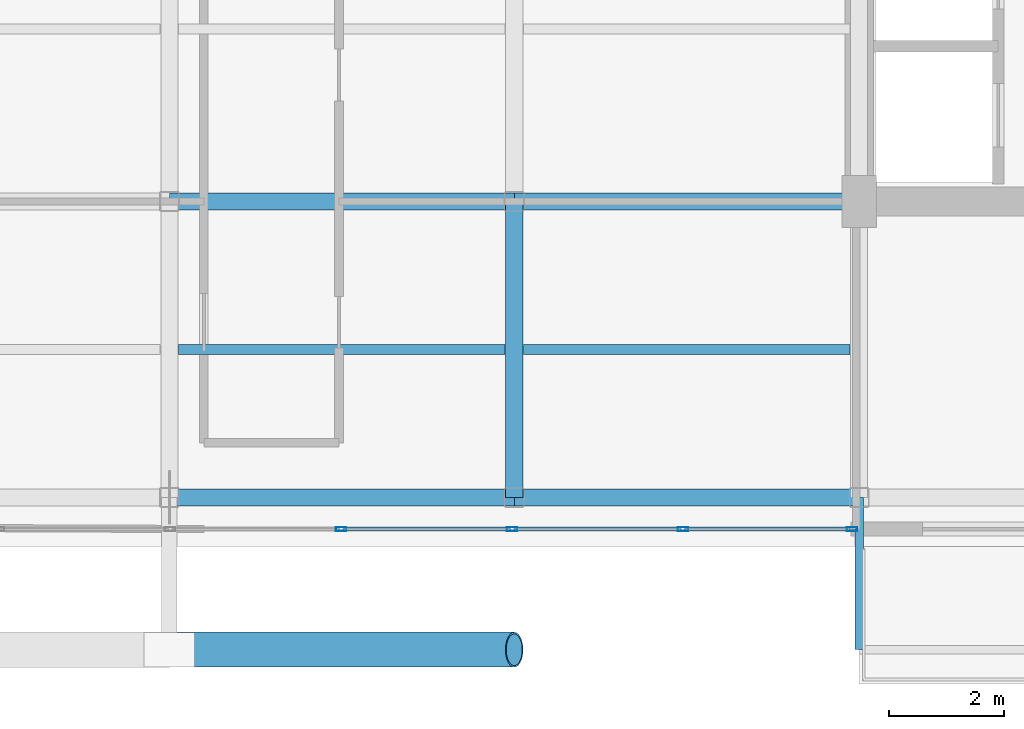
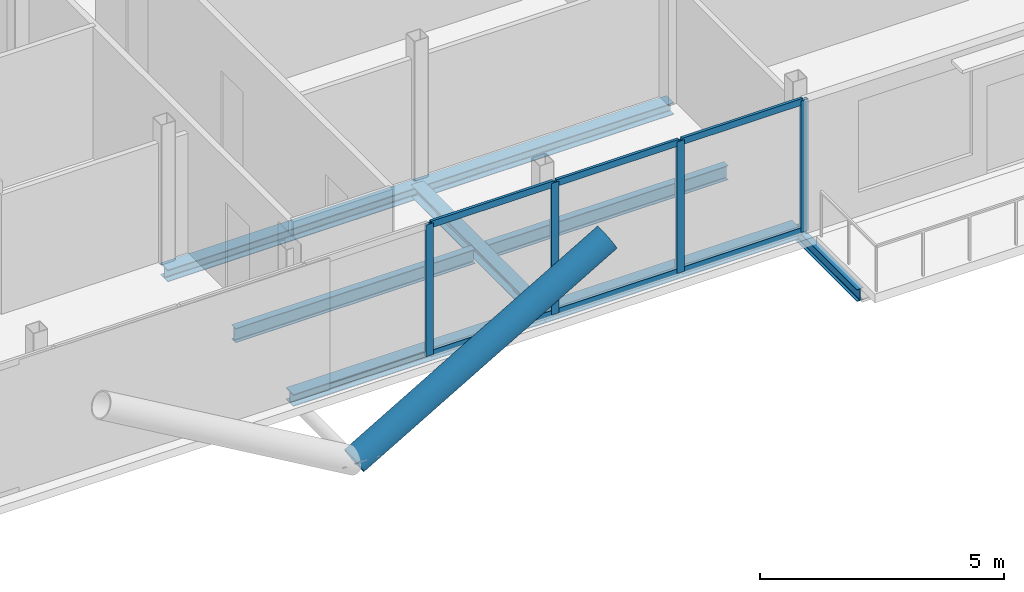
# One storey, part 4 of 18: 11 members, 8 beams, 1 element without a shape of its own.
"""IFC4 building model written with IfcOpenShell, lengths in metres."""

from ifc_helpers import new_model, si_unit, direction, frame, origin, origin_2d, place, context, subcontext, project, spatial, hollow_rectangle, hollow_circle, i_section, extrude, material, layer, layer_set, material_profile, profile_set, type_object, element, aggregate, save


model = new_model("IFC4")

# Units and contexts
model_context = context("Model", 3, precision=1e-05, world=origin(), true_north=direction((0.0, 1.0)))
body_context = subcontext(model_context, "Body", "Model", "MODEL_VIEW")
ifc_project = project(units=[si_unit("LENGTHUNIT", "METRE"), si_unit("AREAUNIT", "SQUARE_METRE"), si_unit("VOLUMEUNIT", "CUBIC_METRE"), si_unit("PLANEANGLEUNIT", "RADIAN"), si_unit("MASSUNIT", "GRAM", prefix="KILO"), si_unit("THERMODYNAMICTEMPERATUREUNIT", "KELVIN"), si_unit("POWERUNIT", "WATT")], contexts=[model_context])

# Site, building, storey
site_placement = place(None, origin())
site = spatial("IfcSite", under=ifc_project, at=site_placement, CompositionType="ELEMENT")
building_placement = place(site_placement, origin())
building = spatial("IfcBuilding", under=site, at=building_placement, Name="Svarakhadi Broadcast Tower", CompositionType="ELEMENT")
storey_placement = place(building_placement, frame((0.0, 0.0, 260.699951171875)))
storey = spatial("IfcBuildingStorey", under=building, at=storey_placement, Name="L65", CompositionType="ELEMENT", Elevation=260.699951171875)

# Beams
ifc_material_1 = material(Name="Steel S355J2 (IS 2062 E350C)", Category="steel")
ifc_material_profile_1 = material_profile(ifc_material_1, i_section(OverallWidth=0.169921875, OverallDepth=0.360107421875, WebThickness=0.008056640625, FlangeThickness=0.0126953125, FilletRadius=0.01806640625, at=origin_2d()), Name="NPB 360x170x57")
ifc_profile_set_1 = profile_set([ifc_material_profile_1], Name="Steel S355J2 (IS 2062 E350C)")
beam_type_1 = type_object("IfcBeamType", Name="Beam_NPB360", PredefinedType="BEAM", material=ifc_profile_set_1)
for number, where, z_axis, x_axis, name in (
    (1, (12.159912109375, 3.425048828125, -0.3798828125), (1.0, 0.0, 0.0), (0.0, 1.0, 0.0), "L65 Secondary Composite Beam SB007"),
    (2, (18.159912109375, 3.425048828125, -0.3798828125), (1.0, 0.0, 0.0), (0.0, 1.0, 0.0), "L65 Secondary Composite Beam SB010"),
):
    element("IfcBeam", number, at=place(storey_placement, frame(where, z_axis=z_axis, x_axis=x_axis)), inside=storey, type_object=beam_type_1, Name=name, PredefinedType="BEAM", context=body_context, shape_type="SweptSolid", body=[
        extrude(i_section(OverallWidth=0.169921875, OverallDepth=0.360107421875, WebThickness=0.008056640625, FlangeThickness=0.0126953125, FilletRadius=0.01806640625, at=origin_2d()), origin(), (0.0, 0.0, 1.0), 5.68017578125),
    ])

# Curtain wall, members
ifc_material_2 = material(Name="Anodised Bronze Aluminium AA 6063-T6", Category="aluminium")
ifc_layer = layer(ifc_material_2, 0.179931640625)
ifc_layer_set = layer_set([ifc_layer], Name="Anodised Bronze Aluminium AA 6063-T6")
curtain_wall_type = type_object("IfcCurtainWallType", Name="CW_Sys_05", PredefinedType="NOTDEFINED", material=ifc_layer_set)
curtain_wall_placement = place(storey_placement, origin())
curtain_wall = element("IfcCurtainWall", 3, at=curtain_wall_placement, inside=storey, type_object=curtain_wall_type, Name="L65 South Curtain Wall 15", PredefinedType="NOTDEFINED")
ifc_material_profile_2 = material_profile(ifc_material_2, hollow_rectangle(XDim=0.070068359375, YDim=0.179931640625, WallThickness=0.005615234375, at=origin_2d()), Name="ALU MULLION 180x70x6")
ifc_profile_set_2 = profile_set([ifc_material_profile_2], Name="Anodised Bronze Aluminium AA 6063-T6")
member_type_1 = type_object("IfcMemberType", Name="CW_Sys_05_Mul", PredefinedType="MULLION", material=ifc_profile_set_2)
member_1_placement = place(storey_placement, frame((23.875, 0.300048828125, 0.0), z_axis=(0.0, 0.0, 1.0), x_axis=(0.0, -1.0, 0.0)))
member_1 = element("IfcMember", 4, at=member_1_placement, type_object=member_type_1, Name="CW-05 mullion 1", PredefinedType="MULLION", context=body_context, shape_type="SweptSolid", body=[
    extrude(hollow_rectangle(XDim=0.070068359375, YDim=0.179931640625, WallThickness=0.005615234375, at=origin_2d()), origin(), (0.0, 0.0, 1.0), 3.300048828125),
])
member_2_placement = place(storey_placement, frame((20.935791015625, 0.300048828125, 0.0), z_axis=(0.0, 0.0, 1.0), x_axis=(0.0, -1.0, 0.0)))
member_2 = element("IfcMember", 5, at=member_2_placement, type_object=member_type_1, Name="CW-05 mullion 2", PredefinedType="MULLION", context=body_context, shape_type="SweptSolid", body=[
    extrude(hollow_rectangle(XDim=0.070068359375, YDim=0.179931640625, WallThickness=0.005615234375, at=origin_2d()), origin(), (0.0, 0.0, 1.0), 3.300048828125),
])
member_3_placement = place(storey_placement, frame((17.96142578125, 0.300048828125, 0.0), z_axis=(0.0, 0.0, 1.0), x_axis=(0.0, -1.0, 0.0)))
member_3 = element("IfcMember", 6, at=member_3_placement, type_object=member_type_1, Name="CW-05 mullion 3", PredefinedType="MULLION", context=body_context, shape_type="SweptSolid", body=[
    extrude(hollow_rectangle(XDim=0.070068359375, YDim=0.179931640625, WallThickness=0.005615234375, at=origin_2d()), origin(), (0.0, 0.0, 1.0), 3.300048828125),
])
member_4_placement = place(storey_placement, frame((14.987060546875, 0.300048828125, 0.0), z_axis=(0.0, 0.0, 1.0), x_axis=(0.0, -1.0, 0.0)))
member_4 = element("IfcMember", 7, at=member_4_placement, type_object=member_type_1, Name="CW-05 mullion 4", PredefinedType="MULLION", context=body_context, shape_type="SweptSolid", body=[
    extrude(hollow_rectangle(XDim=0.070068359375, YDim=0.179931640625, WallThickness=0.005615234375, at=origin_2d()), origin(), (0.0, 0.0, 1.0), 3.300048828125),
])
ifc_material_profile_3 = material_profile(ifc_material_2, hollow_rectangle(XDim=0.06494140625, YDim=0.1650390625, WallThickness=0.0048828125, at=origin_2d()), Name="ALU TRANSOM 165x65x5")
ifc_profile_set_3 = profile_set([ifc_material_profile_3], Name="Anodised Bronze Aluminium AA 6063-T6")
member_type_2 = type_object("IfcMemberType", Name="CW_Sys_05_Trn", PredefinedType="USERDEFINED", material=ifc_profile_set_3)
member_5_placement = place(storey_placement, frame((23.840087890625, 0.300048828125, 0.032470703125), z_axis=(-1.0, 0.0, 0.0), x_axis=(0.0, -1.0, 0.0)))
member_5 = element("IfcMember", 8, at=member_5_placement, type_object=member_type_2, Name="CW-05 transom 1.1", ObjectType="TRANSOM", PredefinedType="USERDEFINED", context=body_context, shape_type="SweptSolid", body=[
    extrude(hollow_rectangle(XDim=0.06494140625, YDim=0.1650390625, WallThickness=0.0048828125, at=origin_2d()), origin(), (0.0, 0.0, 1.0), 2.869384765625),
])
member_6_placement = place(storey_placement, frame((23.840087890625, 0.300048828125, 3.267578125), z_axis=(-1.0, 0.0, 0.0), x_axis=(0.0, -1.0, 0.0)))
member_6 = element("IfcMember", 9, at=member_6_placement, type_object=member_type_2, Name="CW-05 transom 1.2", ObjectType="TRANSOM", PredefinedType="USERDEFINED", context=body_context, shape_type="SweptSolid", body=[
    extrude(hollow_rectangle(XDim=0.06494140625, YDim=0.1650390625, WallThickness=0.0048828125, at=origin_2d()), origin(), (0.0, 0.0, 1.0), 2.869384765625),
])
member_7_placement = place(storey_placement, frame((20.900634765625, 0.300048828125, 0.032470703125), z_axis=(-1.0, 0.0, 0.0), x_axis=(0.0, -1.0, 0.0)))
member_7 = element("IfcMember", 10, at=member_7_placement, type_object=member_type_2, Name="CW-05 transom 2.1", ObjectType="TRANSOM", PredefinedType="USERDEFINED", context=body_context, shape_type="SweptSolid", body=[
    extrude(hollow_rectangle(XDim=0.06494140625, YDim=0.1650390625, WallThickness=0.0048828125, at=origin_2d()), origin(), (0.0, 0.0, 1.0), 2.904296875),
])
member_8_placement = place(storey_placement, frame((20.900634765625, 0.300048828125, 3.267578125), z_axis=(-1.0, 0.0, 0.0), x_axis=(0.0, -1.0, 0.0)))
member_8 = element("IfcMember", 11, at=member_8_placement, type_object=member_type_2, Name="CW-05 transom 2.2", ObjectType="TRANSOM", PredefinedType="USERDEFINED", context=body_context, shape_type="SweptSolid", body=[
    extrude(hollow_rectangle(XDim=0.06494140625, YDim=0.1650390625, WallThickness=0.0048828125, at=origin_2d()), origin(), (0.0, 0.0, 1.0), 2.904296875),
])
member_9_placement = place(storey_placement, frame((17.926513671875, 0.300048828125, 0.032470703125), z_axis=(-1.0, 0.0, 0.0), x_axis=(0.0, -1.0, 0.0)))
member_9 = element("IfcMember", 12, at=member_9_placement, type_object=member_type_2, Name="CW-05 transom 3.1", ObjectType="TRANSOM", PredefinedType="USERDEFINED", context=body_context, shape_type="SweptSolid", body=[
    extrude(hollow_rectangle(XDim=0.06494140625, YDim=0.1650390625, WallThickness=0.0048828125, at=origin_2d()), origin(), (0.0, 0.0, 1.0), 2.904296875),
])
member_10_placement = place(storey_placement, frame((17.926513671875, 0.300048828125, 3.267578125), z_axis=(-1.0, 0.0, 0.0), x_axis=(0.0, -1.0, 0.0)))
member_10 = element("IfcMember", 13, at=member_10_placement, type_object=member_type_2, Name="CW-05 transom 3.2", ObjectType="TRANSOM", PredefinedType="USERDEFINED", context=body_context, shape_type="SweptSolid", body=[
    extrude(hollow_rectangle(XDim=0.06494140625, YDim=0.1650390625, WallThickness=0.0048828125, at=origin_2d()), origin(), (0.0, 0.0, 1.0), 2.904296875),
])
aggregate(curtain_wall, [member_1, member_2, member_3, member_4, member_5, member_6, member_7, member_8, member_9, member_10])

# Member
ifc_material_3 = material(Name="Steel S460ML (IS 2062 E450BR)", Category="steel")
ifc_material_profile_4 = material_profile(ifc_material_3, hollow_circle(Radius=0.304931640625, WallThickness=0.030029296875, at=origin_2d()), Name="CHS 610x30")
ifc_profile_set_4 = profile_set([ifc_material_profile_4], Name="Steel S460ML (IS 2062 E450BR)")
member_type_3 = type_object("IfcMemberType", Name="Exo_Brace_CHS610", PredefinedType="BRACE", material=ifc_profile_set_4)
member_11_placement = place(storey_placement, frame((12.0, -1.800048828125, -0.33642578125), z_axis=(0.863778900898, 0.0, 0.503871025524), x_axis=(0.0, 1.0, 0.0)))
element("IfcMember", 14, at=member_11_placement, inside=storey, type_object=member_type_3, Name="L65 Exposed Bronze Exoskeleton Diagonal S02", PredefinedType="BRACE", context=body_context, shape_type="SweptSolid", body=[
    extrude(hollow_circle(Radius=0.304931640625, WallThickness=0.030029296875, at=origin_2d()), origin(), (0.0, 0.0, 1.0), 6.9462890625),
])

# Beams
ifc_material_profile_5 = material_profile(ifc_material_1, i_section(OverallWidth=0.300048828125, OverallDepth=0.300048828125, WebThickness=0.010986328125, FlangeThickness=0.01904296875, FilletRadius=0.027099609375, at=origin_2d()), Name="WPB 300x300x117")
ifc_profile_set_5 = profile_set([ifc_material_profile_5], Name="Steel S355J2 (IS 2062 E350C)")
beam_type_2 = type_object("IfcBeamType", Name="Girder_WPB300", PredefinedType="USERDEFINED", material=ifc_profile_set_5)
for number, where, z_axis, x_axis, name in (
    (15, (12.0, 0.85009765625, -0.349853515625), (1.0, 0.0, 0.0), (0.0, 1.0, 0.0), "L65 Primary E-W Girder G005"),
    (16, (18.0, 0.85009765625, -0.349853515625), (1.0, 0.0, 0.0), (0.0, 1.0, 0.0), "L65 Primary E-W Girder G006"),
    (17, (12.0, 6.0, -0.349853515625), (1.0, 0.0, 0.0), (0.0, 1.0, 0.0), "L65 Primary E-W Girder G010"),
    (18, (18.0, 6.0, -0.349853515625), (1.0, 0.0, 0.0), (0.0, 1.0, 0.0), "L65 Primary E-W Girder G011"),
):
    element("IfcBeam", number, at=place(storey_placement, frame(where, z_axis=z_axis, x_axis=x_axis)), inside=storey, type_object=beam_type_2, Name=name, ObjectType="GIRDER", PredefinedType="USERDEFINED", context=body_context, shape_type="SweptSolid", body=[
        extrude(i_section(OverallWidth=0.300048828125, OverallDepth=0.300048828125, WebThickness=0.010986328125, FlangeThickness=0.01904296875, FilletRadius=0.027099609375, at=origin_2d()), origin(), (0.0, 0.0, 1.0), 6.0),
    ])
beam_1_placement = place(storey_placement, frame((18.0, 0.85009765625, -0.349853515625), z_axis=(0.0, 1.0, 0.0), x_axis=(-1.0, 0.0, 0.0)))
element("IfcBeam", 19, at=beam_1_placement, inside=storey, type_object=beam_type_2, Name="L65 Primary N-S Girder G036", ObjectType="GIRDER", PredefinedType="USERDEFINED", context=body_context, shape_type="SweptSolid", body=[
    extrude(i_section(OverallWidth=0.300048828125, OverallDepth=0.300048828125, WebThickness=0.010986328125, FlangeThickness=0.01904296875, FilletRadius=0.027099609375, at=origin_2d()), origin(), (0.0, 0.0, 1.0), 5.14990234375),
])
ifc_material_profile_6 = material_profile(ifc_material_1, i_section(OverallWidth=0.14990234375, OverallDepth=0.300048828125, WebThickness=0.007080078125, FlangeThickness=0.0107421875, FilletRadius=0.014892578125, at=origin_2d()), Name="NPB 300x150x37")
ifc_profile_set_6 = profile_set([ifc_material_profile_6], Name="Steel S355J2 (IS 2062 E350C)")
beam_type_3 = type_object("IfcBeamType", Name="Spandrel_NPB300", PredefinedType="SPANDREL", material=ifc_profile_set_6)
beam_2_placement = place(storey_placement, frame((24.0, 0.85009765625, -0.375), z_axis=(0.0, -1.0, 0.0), x_axis=(1.0, 0.0, 0.0)))
element("IfcBeam", 20, at=beam_2_placement, inside=storey, type_object=beam_type_3, Name="L65 Balcony Cantilever Bracket 1A", PredefinedType="SPANDREL", context=body_context, shape_type="SweptSolid", body=[
    extrude(i_section(OverallWidth=0.14990234375, OverallDepth=0.300048828125, WebThickness=0.007080078125, FlangeThickness=0.0107421875, FilletRadius=0.014892578125, at=origin_2d()), origin(), (0.0, 0.0, 1.0), 2.650146484375),
])

save(model, "model.ifc")
